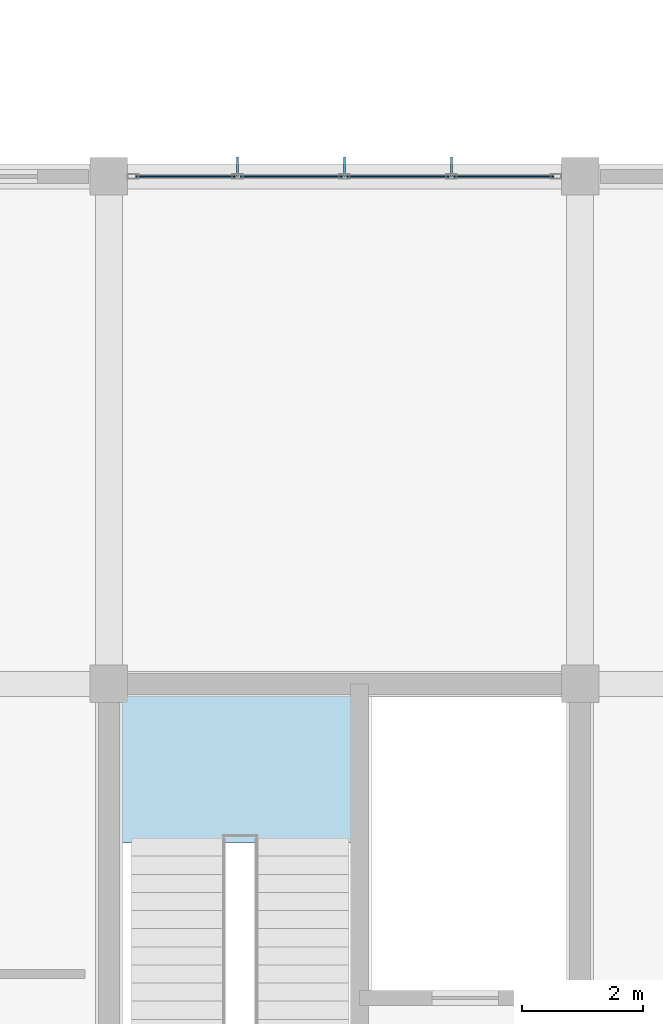
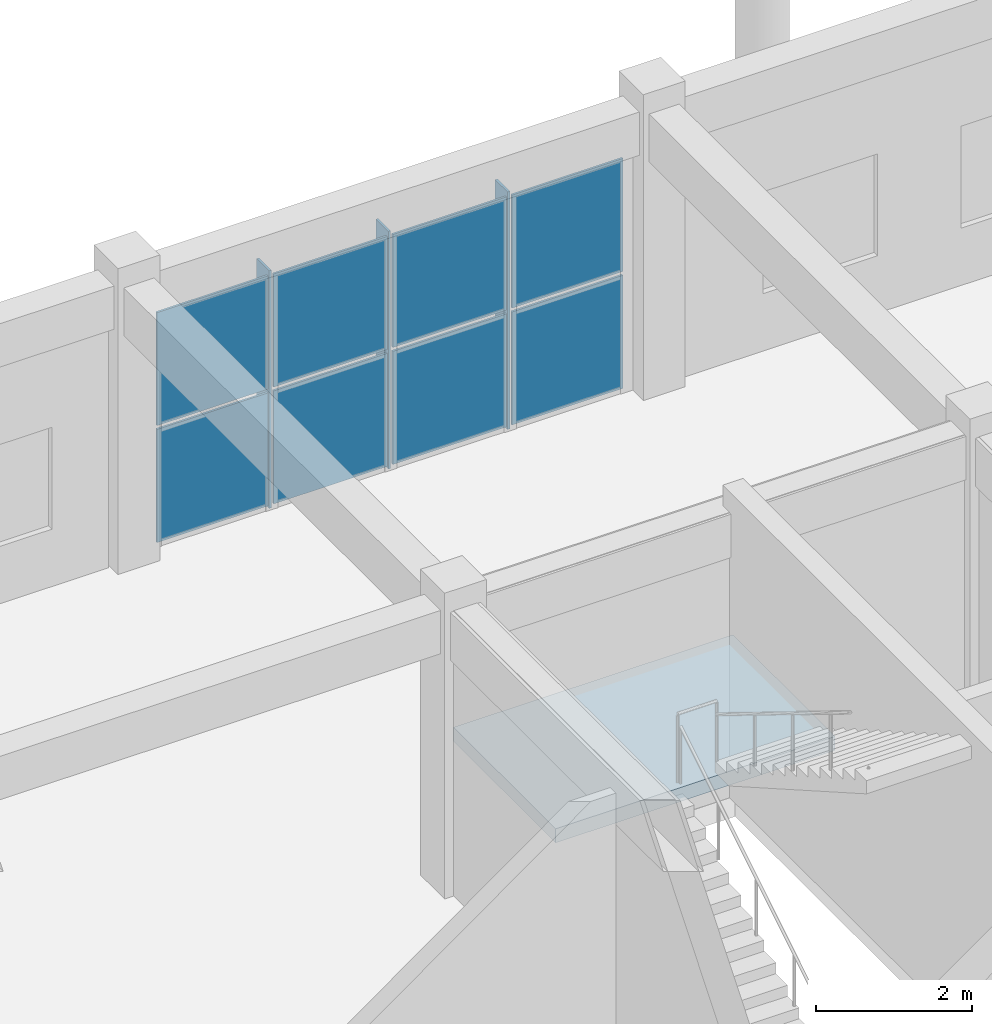
# One storey, part 144 of 167: 11 plates, 1 slab, 2 elements without a shape of their own.
"""IFC4 building model written with IfcOpenShell, lengths in metres."""

from ifc_helpers import new_model, si_unit, direction, frame, origin, origin_2d, place, context, subcontext, project, spatial, polyline, rectangle, outline, extrude, material, layer, layer_set, type_object, element, aggregate, save


model = new_model("IFC4")

# Units and contexts
model_context = context("Model", 3, precision=1e-05, world=origin(), true_north=direction((0.0, 1.0)))
body_context = subcontext(model_context, "Body", "Model", "MODEL_VIEW")
ifc_project = project(units=[si_unit("LENGTHUNIT", "METRE"), si_unit("AREAUNIT", "SQUARE_METRE"), si_unit("VOLUMEUNIT", "CUBIC_METRE"), si_unit("PLANEANGLEUNIT", "RADIAN"), si_unit("MASSUNIT", "GRAM", prefix="KILO")], contexts=[model_context])

# Site, building, storey
site_placement = place(None, origin())
site = spatial("IfcSite", under=ifc_project, at=site_placement, CompositionType="ELEMENT")
building_placement = place(site_placement, origin())
building = spatial("IfcBuilding", under=site, at=building_placement, Name="Zizhar Promenade General Hospital", CompositionType="ELEMENT")
storey_placement = place(building_placement, frame((0.0, 0.0, 9.60009765625)))
storey = spatial("IfcBuildingStorey", under=building, at=storey_placement, Name="L02", CompositionType="ELEMENT", Elevation=9.60009765625)

# Curtain wall, plates
ifc_material_1 = material(Name="Anodised aluminium 6063-T6 and low-E glass", Category="aluminium")
ifc_layer_1 = layer(ifc_material_1, 0.159912109375)
ifc_layer_set_1 = layer_set([ifc_layer_1], Name="Anodised aluminium 6063-T6 and low-E glass")
curtain_wall_type = type_object("IfcCurtainWallType", Name="CW-CLN-EXT", PredefinedType="NOTDEFINED", material=ifc_layer_set_1)
curtain_wall_placement = place(storey_placement, origin())
curtain_wall = element("IfcCurtainWall", 1, at=curtain_wall_placement, inside=storey, type_object=curtain_wall_type, Name="Outpatient North Curtain Wall L02-22", PredefinedType="NOTDEFINED")
ifc_material_2 = material(Name="Low-E solar-control glass", Category="glass")
ifc_layer_2 = layer(ifc_material_2, 0.031982421875)
ifc_layer_set_2 = layer_set([ifc_layer_2], Name="Low-E solar-control glass")
plate_type_1 = type_object("IfcPlateType", Name="CWP-GLZ-32", PredefinedType="CURTAIN_PANEL", material=ifc_layer_set_2)
plate_1_placement = place(storey_placement, frame((172.864990234375, 109.199951171875, 0.06005859375), z_axis=(0.0, 0.0, 1.0), x_axis=(1.0, 0.0, 0.0)))
plate_1 = element("IfcPlate", 2, at=plate_1_placement, type_object=plate_type_1, Name="CW-09 panel 1.1", PredefinedType="CURTAIN_PANEL", context=body_context, shape_type="SweptSolid", body=[
    extrude(rectangle(XDim=1.64990234375, YDim=0.031982421875, at=origin_2d()), origin(), (0.0, 0.0, 1.0), 1.77490234375),
])
plate_2_placement = place(storey_placement, frame((172.864990234375, 109.199951171875, 1.89501953125), z_axis=(0.0, 0.0, 1.0), x_axis=(1.0, 0.0, 0.0)))
plate_2 = element("IfcPlate", 3, at=plate_2_placement, type_object=plate_type_1, Name="CW-09 panel 1.2", PredefinedType="CURTAIN_PANEL", context=body_context, shape_type="SweptSolid", body=[
    extrude(rectangle(XDim=1.64990234375, YDim=0.031982421875, at=origin_2d()), origin(), (0.0, 0.0, 1.0), 1.77490234375),
])
plate_3_placement = place(storey_placement, frame((174.614990234375, 109.199951171875, 0.06005859375), z_axis=(0.0, 0.0, 1.0), x_axis=(1.0, 0.0, 0.0)))
plate_3 = element("IfcPlate", 4, at=plate_3_placement, type_object=plate_type_1, Name="CW-09 panel 2.1", PredefinedType="CURTAIN_PANEL", context=body_context, shape_type="SweptSolid", body=[
    extrude(rectangle(XDim=1.68994140625, YDim=0.031982421875, at=origin_2d()), origin(), (0.0, 0.0, 1.0), 1.77490234375),
])
plate_4_placement = place(storey_placement, frame((174.614990234375, 109.199951171875, 1.89501953125), z_axis=(0.0, 0.0, 1.0), x_axis=(1.0, 0.0, 0.0)))
plate_4 = element("IfcPlate", 5, at=plate_4_placement, type_object=plate_type_1, Name="CW-09 panel 2.2", PredefinedType="CURTAIN_PANEL", context=body_context, shape_type="SweptSolid", body=[
    extrude(rectangle(XDim=1.68994140625, YDim=0.031982421875, at=origin_2d()), origin(), (0.0, 0.0, 1.0), 1.77490234375),
])
plate_5_placement = place(storey_placement, frame((176.385009765625, 109.199951171875, 0.06005859375), z_axis=(0.0, 0.0, 1.0), x_axis=(1.0, 0.0, 0.0)))
plate_5 = element("IfcPlate", 6, at=plate_5_placement, type_object=plate_type_1, Name="CW-09 panel 3.1", PredefinedType="CURTAIN_PANEL", context=body_context, shape_type="SweptSolid", body=[
    extrude(rectangle(XDim=1.68994140625, YDim=0.031982421875, at=origin_2d()), origin(), (0.0, 0.0, 1.0), 1.77490234375),
])
plate_6_placement = place(storey_placement, frame((176.385009765625, 109.199951171875, 1.89501953125), z_axis=(0.0, 0.0, 1.0), x_axis=(1.0, 0.0, 0.0)))
plate_6 = element("IfcPlate", 7, at=plate_6_placement, type_object=plate_type_1, Name="CW-09 panel 3.2", PredefinedType="CURTAIN_PANEL", context=body_context, shape_type="SweptSolid", body=[
    extrude(rectangle(XDim=1.68994140625, YDim=0.031982421875, at=origin_2d()), origin(), (0.0, 0.0, 1.0), 1.77490234375),
])
plate_7_placement = place(storey_placement, frame((178.135009765625, 109.199951171875, 0.06005859375), z_axis=(0.0, 0.0, 1.0), x_axis=(1.0, 0.0, 0.0)))
plate_7 = element("IfcPlate", 8, at=plate_7_placement, type_object=plate_type_1, Name="CW-09 panel 4.1", PredefinedType="CURTAIN_PANEL", context=body_context, shape_type="SweptSolid", body=[
    extrude(rectangle(XDim=1.64990234375, YDim=0.031982421875, at=origin_2d()), origin(), (0.0, 0.0, 1.0), 1.77490234375),
])
plate_8_placement = place(storey_placement, frame((178.135009765625, 109.199951171875, 1.89501953125), z_axis=(0.0, 0.0, 1.0), x_axis=(1.0, 0.0, 0.0)))
plate_8 = element("IfcPlate", 9, at=plate_8_placement, type_object=plate_type_1, Name="CW-09 panel 4.2", PredefinedType="CURTAIN_PANEL", context=body_context, shape_type="SweptSolid", body=[
    extrude(rectangle(XDim=1.64990234375, YDim=0.031982421875, at=origin_2d()), origin(), (0.0, 0.0, 1.0), 1.77490234375),
])
aggregate(curtain_wall, [plate_1, plate_2, plate_3, plate_4, plate_5, plate_6, plate_7, plate_8])

# Plates
ifc_material_3 = material(Name="Anodised aluminium 6063-T6", Category="aluminium")
ifc_layer_3 = layer(ifc_material_3, 0.033935546875)
ifc_layer_set_3 = layer_set([ifc_layer_3], Name="Anodised aluminium 6063-T6")
plate_type_2 = type_object("IfcPlateType", Name="FIN-ALU-320", PredefinedType="USERDEFINED", material=ifc_layer_set_3)
plate_9_placement = place(storey_placement, origin())
element("IfcPlate", 10, at=plate_9_placement, inside=storey, type_object=plate_type_2, Name="Outpatient North Curtain Wall L02-22 Solar Fin 1", ObjectType="SOLAR_SHADE", PredefinedType="USERDEFINED", context=body_context, shape_type="SweptSolid", body=[
    extrude(outline(polyline([(173.712890625, 109.199951171875), (173.7470703125, 109.199951171875), (173.7470703125, 109.52001953125), (173.712890625, 109.52001953125), (173.712890625, 109.199951171875)])), origin(), (0.0, 0.0, 1.0), 3.72998046875),
])
plate_10_placement = place(storey_placement, origin())
element("IfcPlate", 11, at=plate_10_placement, inside=storey, type_object=plate_type_2, Name="Outpatient North Curtain Wall L02-22 Solar Fin 2", ObjectType="SOLAR_SHADE", PredefinedType="USERDEFINED", context=body_context, shape_type="SweptSolid", body=[
    extrude(outline(polyline([(175.48291015625, 109.199951171875), (175.51708984375, 109.199951171875), (175.51708984375, 109.52001953125), (175.48291015625, 109.52001953125), (175.48291015625, 109.199951171875)])), origin(), (0.0, 0.0, 1.0), 3.72998046875),
])
plate_11_placement = place(storey_placement, origin())
element("IfcPlate", 12, at=plate_11_placement, inside=storey, type_object=plate_type_2, Name="Outpatient North Curtain Wall L02-22 Solar Fin 3", ObjectType="SOLAR_SHADE", PredefinedType="USERDEFINED", context=body_context, shape_type="SweptSolid", body=[
    extrude(outline(polyline([(177.2529296875, 109.199951171875), (177.287109375, 109.199951171875), (177.287109375, 109.52001953125), (177.2529296875, 109.52001953125), (177.2529296875, 109.199951171875)])), origin(), (0.0, 0.0, 1.0), 3.72998046875),
])

# Stair, slab
ifc_material_4 = material(Name="Concrete C35/45", Category="concrete")
stair_type = type_object("IfcStairType", Name="STR-DOG-480", PredefinedType="HALF_TURN_STAIR", material=ifc_material_4)
stair_placement = place(storey_placement, origin())
stair = element("IfcStair", 13, at=stair_placement, inside=storey, type_object=stair_type, Name="Exit Stair ST-08 (L02 to L03)", PredefinedType="HALF_TURN_STAIR")
ifc_material_5 = material(Name="Concrete C35/45", Category="concrete")
ifc_layer_4 = layer(ifc_material_5, 0.219970703125)
ifc_layer_set_4 = layer_set([ifc_layer_4], Name="Concrete C35/45")
slab_type = type_object("IfcSlabType", Name="SLB-LAND-480", PredefinedType="LANDING", material=ifc_layer_set_4)
slab_placement = place(storey_placement, frame((0.0, 0.0, 2.179931640625)))
slab = element("IfcSlab", 14, at=slab_placement, type_object=slab_type, Name="ST-08A landing 1", PredefinedType="LANDING", context=body_context, shape_type="SweptSolid", body=[
    extrude(outline(polyline([(171.60009765625, 98.169921875), (175.75, 98.169921875), (175.75, 100.800048828125), (171.60009765625, 100.800048828125), (171.60009765625, 98.169921875)])), origin(), (0.0, 0.0, 1.0), 0.219970703125),
])
aggregate(stair, [slab])

save(model, "model.ifc")
